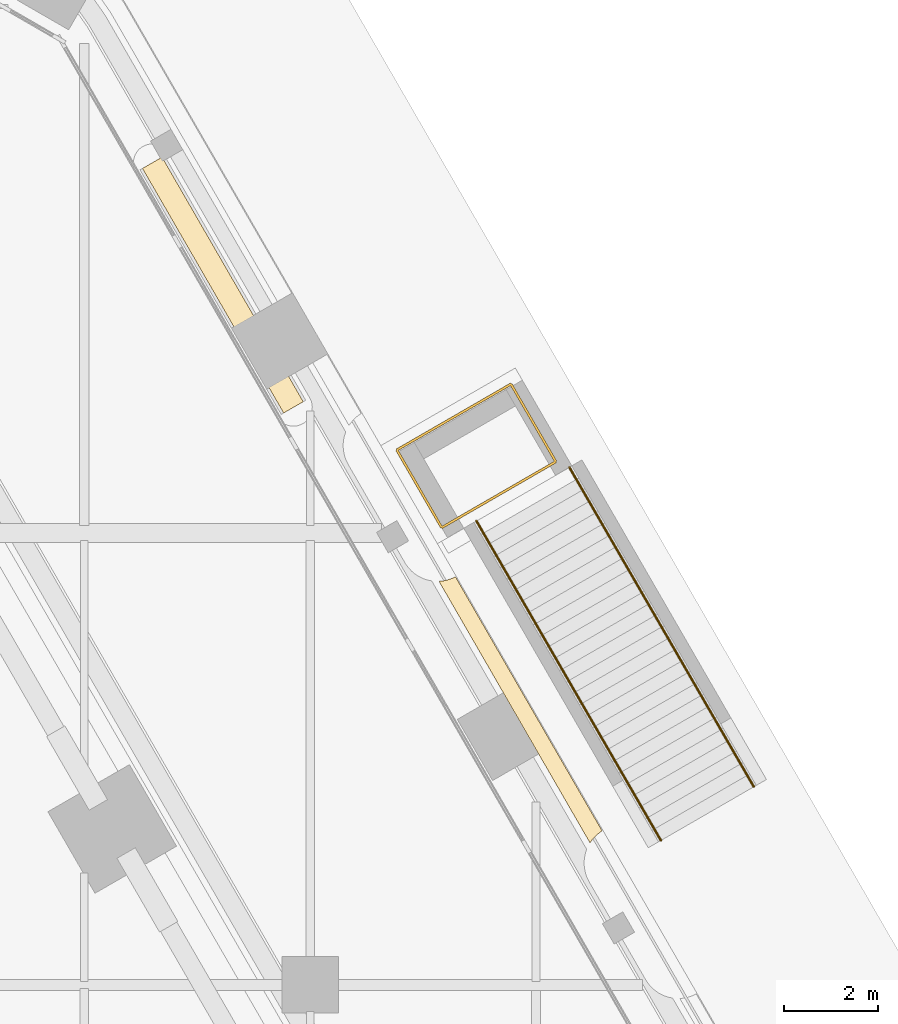
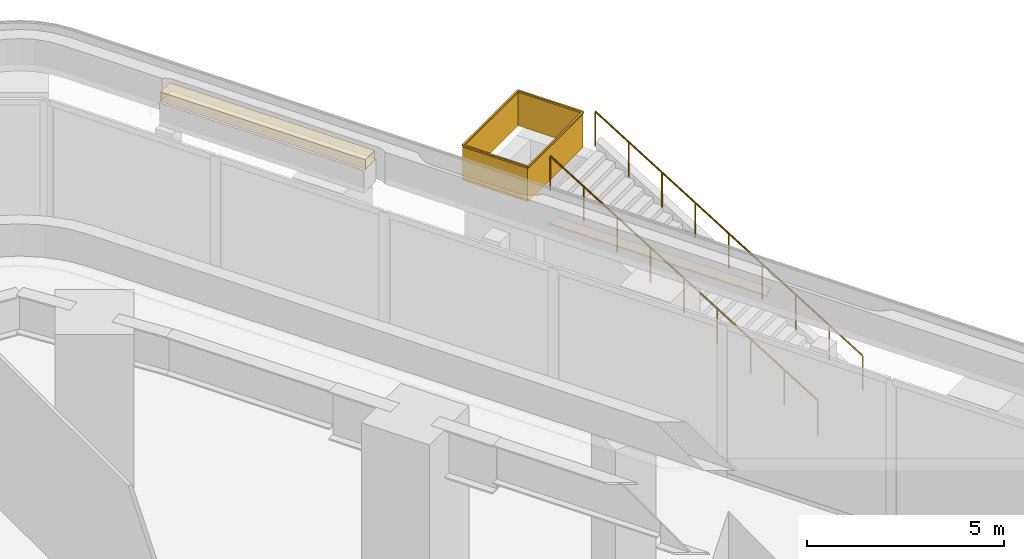
# One storey, part 34 of 34: 3 railings, 2 coverings.
"""IFC4 building model written with IfcOpenShell, lengths in metres."""

from ifc_helpers import new_model, si_unit, direction, frame, frame_2d, origin, origin_2d, place, context, subcontext, project, spatial, polyline, rectangle, circle, outline, extrude, material, layer, layer_set, type_object, element, save


model = new_model("IFC4")

# Units and contexts
model_context = context("Model", 3, precision=1e-05, world=origin(), true_north=direction((0.0, 1.0)))
body_context = subcontext(model_context, "Body", "Model", "MODEL_VIEW")
ifc_project = project(units=[si_unit("LENGTHUNIT", "METRE"), si_unit("AREAUNIT", "SQUARE_METRE"), si_unit("VOLUMEUNIT", "CUBIC_METRE"), si_unit("PLANEANGLEUNIT", "RADIAN"), si_unit("MASSUNIT", "GRAM", prefix="KILO")], contexts=[model_context])

# Site, building, storey
site_placement = place(None, origin())
site = spatial("IfcSite", under=ifc_project, at=site_placement, CompositionType="ELEMENT")
building_placement = place(site_placement, origin())
building = spatial("IfcBuilding", under=site, at=building_placement, Name="Kolab Exchange Tower", CompositionType="ELEMENT")
storey_placement = place(building_placement, frame((0.0, 0.0, 12.39990234375)))
storey = spatial("IfcBuildingStorey", under=building, at=storey_placement, Name="L02", CompositionType="ELEMENT", Elevation=12.39990234375)

# Railings
ifc_material_1 = material(Name="Steel S235", Category="steel")
railing_type = type_object("IfcRailingType", Name="GUARD 1100 GLASS BALUSTRADE AND STEEL TOP RAIL", PredefinedType="GUARDRAIL", material=ifc_material_1)
railing_1_placement = place(storey_placement, frame((36.25146484375, 22.269287109375, 0.172607421875)))
element("IfcRailing", 1, at=railing_1_placement, inside=storey, type_object=railing_type, Name="Stair guard", PredefinedType="GUARDRAIL", context=body_context, shape_type="SweptSolid", body=[
    extrude(circle(Radius=0.02490234375, at=origin_2d()), frame((0.0, 0.0, 1.0751953125), z_axis=(-0.425779602582, 0.737431073539, 0.524315879794), x_axis=(-0.866013415921, -0.500020763015, 0.0)), (0.0, 0.0, 1.0), 9.20703125),
    extrude(circle(Radius=0.02001953125, at=origin_2d()), origin(), (0.0, 0.0, 1.0), 1.050048828125),
    extrude(circle(Radius=0.02001953125, at=origin_2d()), frame((-0.489990234375, 0.8486328125, 0.603515625)), (0.0, 0.0, 1.0), 1.050048828125),
    extrude(circle(Radius=0.02001953125, at=origin_2d()), frame((-0.97998046875, 1.697265625, 1.206787109375)), (0.0, 0.0, 1.0), 1.050048828125),
    extrude(circle(Radius=0.02001953125, at=origin_2d()), frame((-1.469970703125, 2.546142578125, 1.810302734375)), (0.0, 0.0, 1.0), 1.050048828125),
    extrude(circle(Radius=0.02001953125, at=origin_2d()), frame((-1.9599609375, 3.394775390625, 2.41357421875)), (0.0, 0.0, 1.0), 1.050048828125),
    extrude(circle(Radius=0.02001953125, at=origin_2d()), frame((-2.4501953125, 4.243408203125, 3.01708984375)), (0.0, 0.0, 1.0), 1.050048828125),
    extrude(circle(Radius=0.02001953125, at=origin_2d()), frame((-2.940185546875, 5.09228515625, 3.62060546875)), (0.0, 0.0, 1.0), 1.050048828125),
    extrude(circle(Radius=0.02001953125, at=origin_2d()), frame((-3.43017578125, 5.94091796875, 4.223876953125)), (0.0, 0.0, 1.0), 1.050048828125),
    extrude(circle(Radius=0.02001953125, at=origin_2d()), frame((-3.920166015625, 6.78955078125, 4.827392578125)), (0.0, 0.0, 1.0), 1.050048828125),
])
railing_2_placement = place(storey_placement, frame((38.225830078125, 23.4091796875, 0.172607421875)))
element("IfcRailing", 2, at=railing_2_placement, inside=storey, type_object=railing_type, Name="Stair guard", PredefinedType="GUARDRAIL", context=body_context, shape_type="SweptSolid", body=[
    extrude(circle(Radius=0.02490234375, at=origin_2d()), frame((0.0, 0.0, 1.0751953125), z_axis=(-0.425757892633, 0.737439399235, 0.524321799391), x_axis=(-0.86602690036, -0.499997407846, 0.0)), (0.0, 0.0, 1.0), 9.20703125),
    extrude(circle(Radius=0.02001953125, at=origin_2d()), origin(), (0.0, 0.0, 1.0), 1.050048828125),
    extrude(circle(Radius=0.02001953125, at=origin_2d()), frame((-0.489990234375, 0.8486328125, 0.603515625)), (0.0, 0.0, 1.0), 1.050048828125),
    extrude(circle(Radius=0.02001953125, at=origin_2d()), frame((-0.97998046875, 1.697265625, 1.206787109375)), (0.0, 0.0, 1.0), 1.050048828125),
    extrude(circle(Radius=0.02001953125, at=origin_2d()), frame((-1.469970703125, 2.546142578125, 1.810302734375)), (0.0, 0.0, 1.0), 1.050048828125),
    extrude(circle(Radius=0.02001953125, at=origin_2d()), frame((-1.9599609375, 3.394775390625, 2.41357421875)), (0.0, 0.0, 1.0), 1.050048828125),
    extrude(circle(Radius=0.02001953125, at=origin_2d()), frame((-2.449951171875, 4.243408203125, 3.01708984375)), (0.0, 0.0, 1.0), 1.050048828125),
    extrude(circle(Radius=0.02001953125, at=origin_2d()), frame((-2.93994140625, 5.09228515625, 3.62060546875)), (0.0, 0.0, 1.0), 1.050048828125),
    extrude(circle(Radius=0.02001953125, at=origin_2d()), frame((-3.429931640625, 5.94091796875, 4.223876953125)), (0.0, 0.0, 1.0), 1.050048828125),
    extrude(circle(Radius=0.02001953125, at=origin_2d()), frame((-3.919921875, 6.78955078125, 4.827392578125)), (0.0, 0.0, 1.0), 1.050048828125),
])
railing_3_placement = place(storey_placement, frame((30.6416015625, 30.565673828125, 5.0)))
element("IfcRailing", 3, at=railing_3_placement, inside=storey, type_object=railing_type, Name="Landing guard", PredefinedType="GUARDRAIL", context=body_context, shape_type="SweptSolid", body=[
    extrude(rectangle(XDim=0.05, YDim=0.05, at=origin_2d()), frame((0.0, 0.0, 1.0751953125), z_axis=(0.865996816683, 0.500049511043, 0.0), x_axis=(-0.500049511043, 0.865996816683, 0.0)), (0.0, 0.0, 1.0), 2.800048828125),
    extrude(rectangle(XDim=0.012, YDim=1.05009765625, at=frame_2d((0.0, 0.525146484375))), frame((0.0, 0.0, 0.0), z_axis=(0.865996816683, 0.500049511043, 0.0), x_axis=(-0.500049511043, 0.865996816683, 0.0)), (0.0, 0.0, 1.0), 2.800048828125),
    extrude(rectangle(XDim=0.05, YDim=0.05, at=origin_2d()), frame((2.4248046875, 1.400146484375, 1.0751953125), z_axis=(0.499929534118, -0.866066083458, 0.0), x_axis=(0.866066083458, 0.499929534118, 0.0)), (0.0, 0.0, 1.0), 1.905029296875),
    extrude(rectangle(XDim=0.012, YDim=1.05009765625, at=frame_2d((0.0, 0.525146484375))), frame((2.4248046875, 1.400146484375, 0.0), z_axis=(0.499929534118, -0.866066083458, 0.0), x_axis=(0.866066083458, 0.499929534118, 0.0)), (0.0, 0.0, 1.0), 1.905029296875),
    extrude(rectangle(XDim=0.05, YDim=0.05, at=origin_2d()), frame((3.377197265625, -0.249755859375, 1.0751953125), z_axis=(-0.866034573852, -0.49998411664, 0.0), x_axis=(0.49998411664, -0.866034573852, 0.0)), (0.0, 0.0, 1.0), 2.7998046875),
    extrude(rectangle(XDim=0.012, YDim=1.05009765625, at=frame_2d((0.0, 0.525146484375))), frame((3.377197265625, -0.249755859375, 0.0), z_axis=(-0.866034573852, -0.49998411664, 0.0), x_axis=(0.49998411664, -0.866034573852, 0.0)), (0.0, 0.0, 1.0), 2.7998046875),
    extrude(rectangle(XDim=0.05, YDim=0.05, at=origin_2d()), frame((0.952392578125, -1.649658203125, 1.0751953125), z_axis=(-0.499985026433, 0.866034048605, 0.0), x_axis=(-0.866034048605, -0.499985026433, 0.0)), (0.0, 0.0, 1.0), 1.90478515625),
    extrude(rectangle(XDim=0.012, YDim=1.05009765625, at=frame_2d((0.0, 0.525146484375))), frame((0.952392578125, -1.649658203125, 0.0), z_axis=(-0.499985026433, 0.866034048605, 0.0), x_axis=(-0.866034048605, -0.499985026433, 0.0)), (0.0, 0.0, 1.0), 1.90478515625),
])

# Coverings
ifc_material_2 = material(Name="Planting soil and turf", Category="soil")
ifc_layer_1 = layer(ifc_material_2, 0.25)
ifc_layer_set_1 = layer_set([ifc_layer_1], Name="Planting soil and turf")
covering_type_1 = type_object("IfcCoveringType", Name="PLANTING SOIL AND TURF 250", PredefinedType="USERDEFINED", material=ifc_layer_set_1)
covering_1_placement = place(storey_placement, frame((0.0, 0.0, 5.7001953125)))
element("IfcCovering", 4, at=covering_1_placement, inside=storey, type_object=covering_type_1, Name="Planting soil and turf", ObjectType="PLANTING", PredefinedType="USERDEFINED", context=body_context, shape_type="SweptSolid", body=[
    extrude(outline(polyline([(28.652099609375, 31.591552734375), (28.236572265625, 31.3515625), (25.236572265625, 36.547607421875), (25.652099609375, 36.78759765625), (28.652099609375, 31.591552734375)])), origin(), (0.0, 0.0, 1.0), 0.2998046875),
])
ifc_material_3 = material(Name="Limestone coping", Category="masonry")
ifc_layer_2 = layer(ifc_material_3, 0.050048828125)
ifc_layer_set_2 = layer_set([ifc_layer_2], Name="Limestone coping")
covering_type_2 = type_object("IfcCoveringType", Name="TERRACE EDGE BAND LIMESTONE 50", PredefinedType="CLADDING", material=ifc_layer_set_2)
covering_2_placement = place(storey_placement, frame((0.0, 0.0, 5.0)))
element("IfcCovering", 5, at=covering_2_placement, inside=storey, type_object=covering_type_2, Name="Terrace edge band", PredefinedType="CLADDING", context=body_context, shape_type="SweptSolid", body=[
    extrude(outline(polyline([(35.003173828125, 22.47119140625), (34.9541015625, 22.439453125), (34.892578125, 22.390625), (34.836181640625, 22.336181640625), (34.785400390625, 22.276123046875), (34.7451171875, 22.218017578125), (31.53662109375, 27.775634765625), (31.60693359375, 27.78125), (31.68408203125, 27.79541015625), (31.759765625, 27.81689453125), (31.832763671875, 27.845703125), (31.884765625, 27.87255859375), (35.003173828125, 22.47119140625)])), origin(), (0.0, 0.0, 1.0), 0.050048828125),
])

save(model, "model.ifc")
